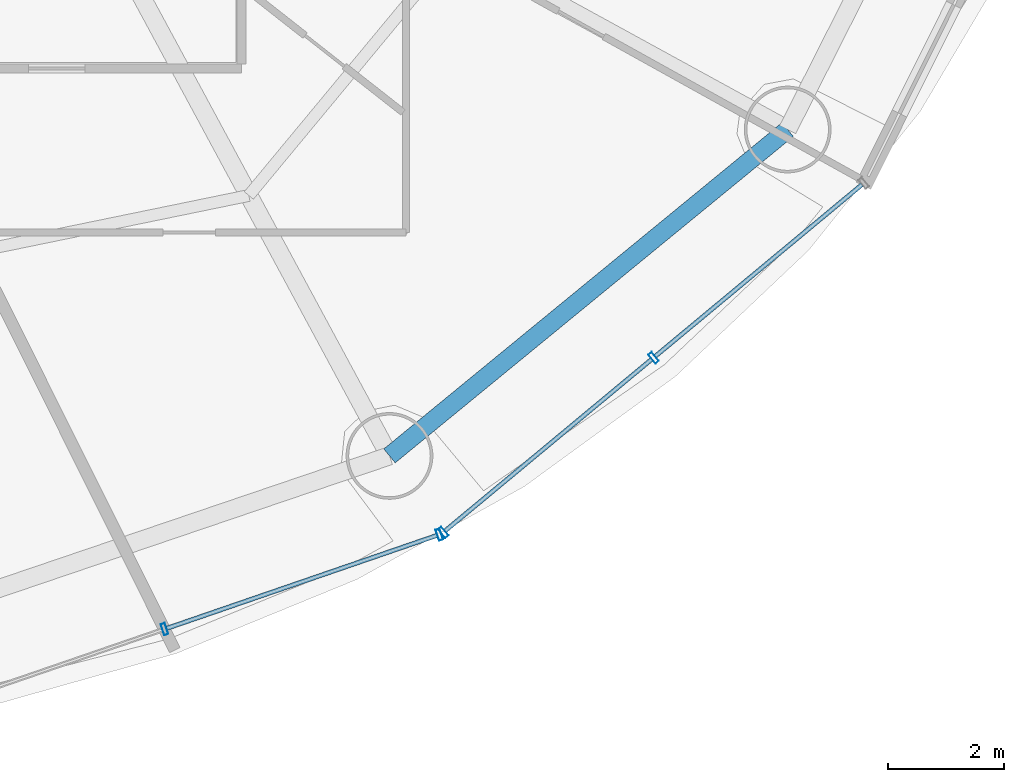
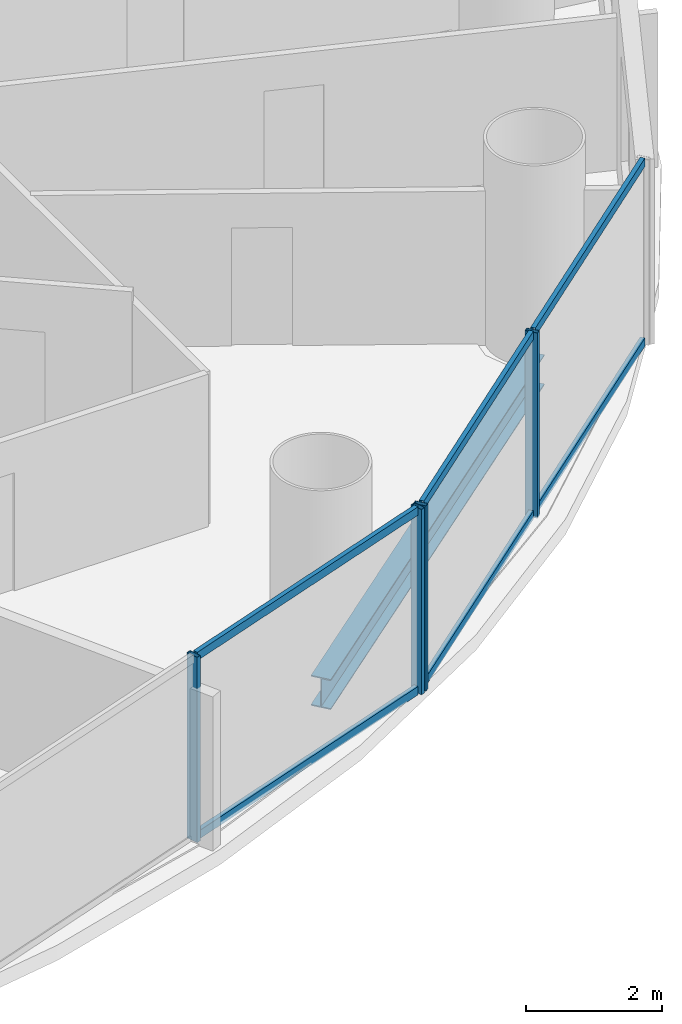
# One storey, part 10 of 28: 10 members, 1 beam, 2 elements without a shape of their own.
"""IFC4 building model written with IfcOpenShell, lengths in metres."""

from ifc_helpers import new_model, si_unit, direction, frame, origin, origin_2d, place, context, subcontext, project, spatial, hollow_rectangle, i_section, extrude, source, transform, mapped, material, material_profile, profile_set, type_object, element, aggregate, save


model = new_model("IFC4")

# Units and contexts
model_context = context("Model", 3, precision=1e-05, world=origin(), true_north=direction((-0.2419218956, 0.970295726276)))
body_context = subcontext(model_context, "Body", "Model", "MODEL_VIEW")
ifc_project = project(units=[si_unit("LENGTHUNIT", "METRE"), si_unit("AREAUNIT", "SQUARE_METRE"), si_unit("VOLUMEUNIT", "CUBIC_METRE"), si_unit("PLANEANGLEUNIT", "RADIAN"), si_unit("MASSUNIT", "GRAM", prefix="KILO")], contexts=[model_context])

# Site, building, storey
site_placement = place(None, origin())
site = spatial("IfcSite", under=ifc_project, at=site_placement, CompositionType="ELEMENT")
building_placement = place(site_placement, origin())
building = spatial("IfcBuilding", under=site, at=building_placement, Name="Cobrevalo Terracotta Tower", CompositionType="ELEMENT")
storey_placement = place(building_placement, frame((0.0, 0.0, 105.0)))
storey = spatial("IfcBuildingStorey", under=building, at=storey_placement, Name="L27", CompositionType="ELEMENT", Elevation=105.0)

# Beam
ifc_material_1 = material(Name="Steel S355", Category="steel")
ifc_material_profile_1 = material_profile(ifc_material_1, i_section(OverallWidth=0.31201171875, OverallDepth=0.54296875, WebThickness=0.0126953125, FlangeThickness=0.020263671875, at=origin_2d()), Name="W 530x150")
ifc_profile_set_1 = profile_set([ifc_material_profile_1], Name="Steel S355")
beam_type = type_object("IfcBeamType", Name="Structural Spandrel W 530x150 (Steel S355)", PredefinedType="SPANDREL", material=ifc_profile_set_1)
beam_placement = place(storey_placement, frame((51.861572265625, 9.79638671875, -0.54638671875), z_axis=(0.773400923541, 0.633917196064, 0.0), x_axis=(-0.633917196064, 0.773400923541, 0.0)))
element("IfcBeam", 1, at=beam_placement, inside=storey, type_object=beam_type, Name="L27 perimeter ring spandrel 14", PredefinedType="SPANDREL", context=body_context, shape_type="SweptSolid", body=[
    extrude(i_section(OverallWidth=0.31201171875, OverallDepth=0.54296875, WebThickness=0.0126953125, FlangeThickness=0.020263671875, at=origin_2d()), origin(), (0.0, 0.0, 1.0), 8.900390625),
])

# Curtain wall, members
ifc_material_2 = material(Name="Anodized aluminium", Category="aluminium")
curtain_wall_type = type_object("IfcCurtainWallType", Name="Lower-tower unitised acoustic low-E curtain wall CW-U1", PredefinedType="NOTDEFINED", material=ifc_material_2)
curtain_wall_1_placement = place(storey_placement, origin())
curtain_wall_1 = element("IfcCurtainWall", 2, at=curtain_wall_1_placement, inside=storey, type_object=curtain_wall_type, Name="L27 curtain wall CW-L27-S13", PredefinedType="NOTDEFINED")
ifc_material_profile_2 = material_profile(ifc_material_2, hollow_rectangle(XDim=0.074951171875, YDim=0.199951171875, WallThickness=0.0048828125, at=origin_2d()), Name="CWM 75x200")
ifc_profile_set_2 = profile_set([ifc_material_profile_2], Name="Anodized aluminium")
member_type_1 = type_object("IfcMemberType", Name="Lower/mid tower unitised mullion 75x200", PredefinedType="MULLION", material=ifc_profile_set_2)
shared_shape_1 = source(origin(), body_context, "Body", "SweptSolid", [
    extrude(hollow_rectangle(XDim=0.074951171875, YDim=0.199951171875, WallThickness=0.0048828125, at=origin_2d()), origin(), (0.0, 0.0, 1.0), 3.324951171875),
])
member_1_placement = place(storey_placement, frame((47.972412109375, 6.8017578125, 0.0), z_axis=(0.0, 0.0, 1.0), x_axis=(0.94559809868, 0.325337110968, 0.0)))
member_1 = element("IfcMember", 3, at=member_1_placement, type_object=member_type_1, Name="CW-L27-S13 vertical mullion 02", PredefinedType="MULLION", context=body_context, shape_type="MappedRepresentation", body=[
    mapped(shared_shape_1, transform((0.0, 0.0, 0.0), scale=1.0)),
])
member_2_placement = place(storey_placement, frame((52.7236328125, 8.4365234375, 0.0), z_axis=(0.0, 0.0, 1.0), x_axis=(0.94559809868, 0.325337110968, 0.0)))
member_2 = element("IfcMember", 4, at=member_2_placement, type_object=member_type_1, Name="CW-L27-S13 vertical mullion 03", PredefinedType="MULLION", context=body_context, shape_type="MappedRepresentation", body=[
    mapped(shared_shape_1, transform((0.0, 0.0, 0.0), scale=1.0)),
])

curtain_wall_2_placement = place(storey_placement, origin())
curtain_wall_2 = element("IfcCurtainWall", 5, at=curtain_wall_2_placement, inside=storey, type_object=curtain_wall_type, Name="L27 curtain wall CW-L27-S14", PredefinedType="NOTDEFINED")
member_3_placement = place(storey_placement, frame((52.792236328125, 8.47509765625, 0.0), z_axis=(0.0, 0.0, 1.0), x_axis=(0.769243451658, 0.638955798222, 0.0)))
member_3 = element("IfcMember", 6, at=member_3_placement, type_object=member_type_1, Name="CW-L27-S14 vertical mullion 01", PredefinedType="MULLION", context=body_context, shape_type="MappedRepresentation", body=[
    mapped(shared_shape_1, transform((0.0, 0.0, 0.0), scale=1.0)),
])
member_4_placement = place(storey_placement, frame((56.4267578125, 11.493896484375, 0.0), z_axis=(0.0, 0.0, 1.0), x_axis=(0.769243451658, 0.638955798222, 0.0)))
member_4 = element("IfcMember", 7, at=member_4_placement, type_object=member_type_1, Name="CW-L27-S14 vertical mullion 02", PredefinedType="MULLION", context=body_context, shape_type="MappedRepresentation", body=[
    mapped(shared_shape_1, transform((0.0, 0.0, 0.0), scale=1.0)),
])

# Member
ifc_material_profile_3 = material_profile(ifc_material_2, hollow_rectangle(XDim=0.074951171875, YDim=0.14990234375, WallThickness=0.00439453125, at=origin_2d()), Name="CWT 75x150")
ifc_profile_set_3 = profile_set([ifc_material_profile_3], Name="Anodized aluminium")
member_type_2 = type_object("IfcMemberType", Name="Tower unitised aluminium transom 75x150", PredefinedType="USERDEFINED", material=ifc_profile_set_3)
shared_shape_2 = source(origin(), body_context, "Body", "SweptSolid", [
    extrude(hollow_rectangle(XDim=0.074951171875, YDim=0.14990234375, WallThickness=0.00439453125, at=origin_2d()), origin(), (0.0, 0.0, 1.0), 4.944580078125),
])
member_5_placement = place(storey_placement, frame((48.01025390625, 6.814697265625, 0.050048828125), z_axis=(0.945597859971, 0.32533780478, 0.0), x_axis=(-0.32533780478, 0.945597859971, 0.0)))
member_5 = element("IfcMember", 8, at=member_5_placement, type_object=member_type_2, Name="CW-L27-S13 transom B02-T1", ObjectType="TRANSOM", PredefinedType="USERDEFINED", context=body_context, shape_type="MappedRepresentation", body=[
    mapped(shared_shape_2, transform((0.0, 0.0, 0.0), scale=1.0)),
])

member_6_placement = place(storey_placement, frame((48.01025390625, 6.814697265625, 3.27490234375), z_axis=(0.945597859971, 0.32533780478, 0.0), x_axis=(-0.32533780478, 0.945597859971, 0.0)))
member_6 = element("IfcMember", 9, at=member_6_placement, type_object=member_type_2, Name="CW-L27-S13 transom B02-T2", ObjectType="TRANSOM", PredefinedType="USERDEFINED", context=body_context, shape_type="MappedRepresentation", body=[
    mapped(shared_shape_2, transform((0.0, 0.0, 0.0), scale=1.0)),
])

aggregate(curtain_wall_1, [member_1, member_2, member_5, member_6])

shared_shape_3 = source(origin(), body_context, "Body", "SweptSolid", [
    extrude(hollow_rectangle(XDim=0.074951171875, YDim=0.14990234375, WallThickness=0.00439453125, at=origin_2d()), origin(), (0.0, 0.0, 1.0), 4.64501953125),
])
member_7_placement = place(storey_placement, frame((52.822998046875, 8.50048828125, 0.050048828125), z_axis=(0.769224156193, 0.638979027457, 0.0), x_axis=(-0.638979027457, 0.769224156193, 0.0)))
member_7 = element("IfcMember", 10, at=member_7_placement, type_object=member_type_2, Name="CW-L27-S14 transom B01-T1", ObjectType="TRANSOM", PredefinedType="USERDEFINED", context=body_context, shape_type="MappedRepresentation", body=[
    mapped(shared_shape_3, transform((0.0, 0.0, 0.0), scale=1.0)),
])

member_8_placement = place(storey_placement, frame((52.822998046875, 8.50048828125, 3.27490234375), z_axis=(0.769224156193, 0.638979027457, 0.0), x_axis=(-0.638979027457, 0.769224156193, 0.0)))
member_8 = element("IfcMember", 11, at=member_8_placement, type_object=member_type_2, Name="CW-L27-S14 transom B01-T2", ObjectType="TRANSOM", PredefinedType="USERDEFINED", context=body_context, shape_type="MappedRepresentation", body=[
    mapped(shared_shape_3, transform((0.0, 0.0, 0.0), scale=1.0)),
])

member_9_placement = place(storey_placement, frame((56.45751953125, 11.51953125, 0.050048828125), z_axis=(0.769224156193, 0.638979027457, 0.0), x_axis=(-0.638979027457, 0.769224156193, 0.0)))
member_9 = element("IfcMember", 12, at=member_9_placement, type_object=member_type_2, Name="CW-L27-S14 transom B02-T1", ObjectType="TRANSOM", PredefinedType="USERDEFINED", context=body_context, shape_type="MappedRepresentation", body=[
    mapped(shared_shape_3, transform((0.0, 0.0, 0.0), scale=1.0)),
])

member_10_placement = place(storey_placement, frame((56.45751953125, 11.51953125, 3.27490234375), z_axis=(0.769224156193, 0.638979027457, 0.0), x_axis=(-0.638979027457, 0.769224156193, 0.0)))
member_10 = element("IfcMember", 13, at=member_10_placement, type_object=member_type_2, Name="CW-L27-S14 transom B02-T2", ObjectType="TRANSOM", PredefinedType="USERDEFINED", context=body_context, shape_type="MappedRepresentation", body=[
    mapped(shared_shape_3, transform((0.0, 0.0, 0.0), scale=1.0)),
])

aggregate(curtain_wall_2, [member_3, member_4, member_7, member_8, member_9, member_10])

save(model, "model.ifc")
